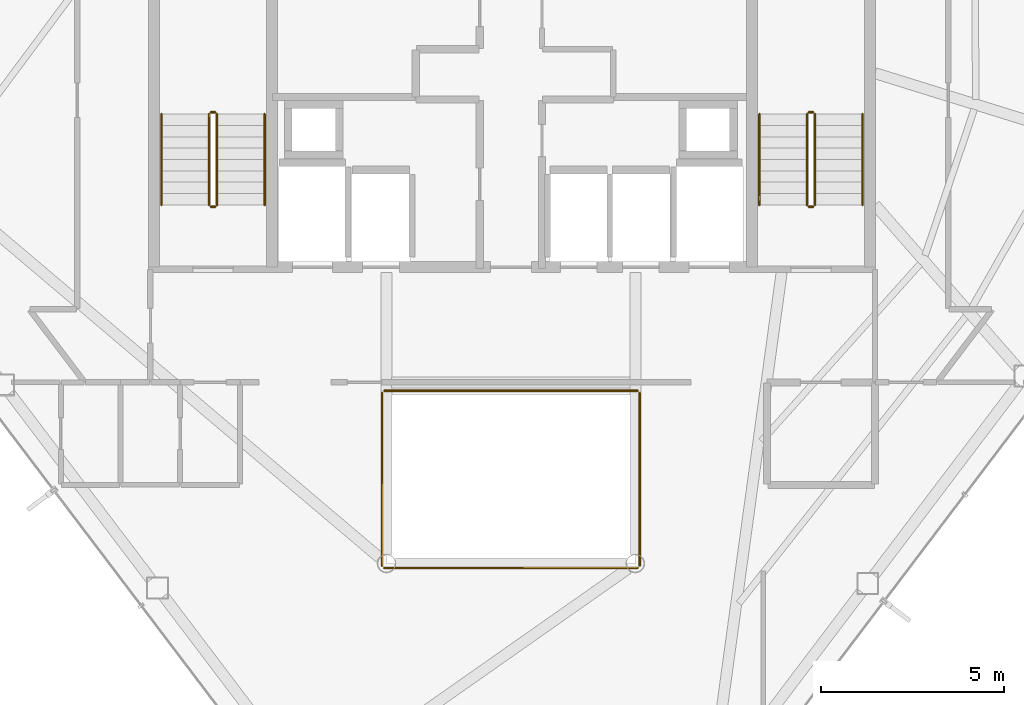
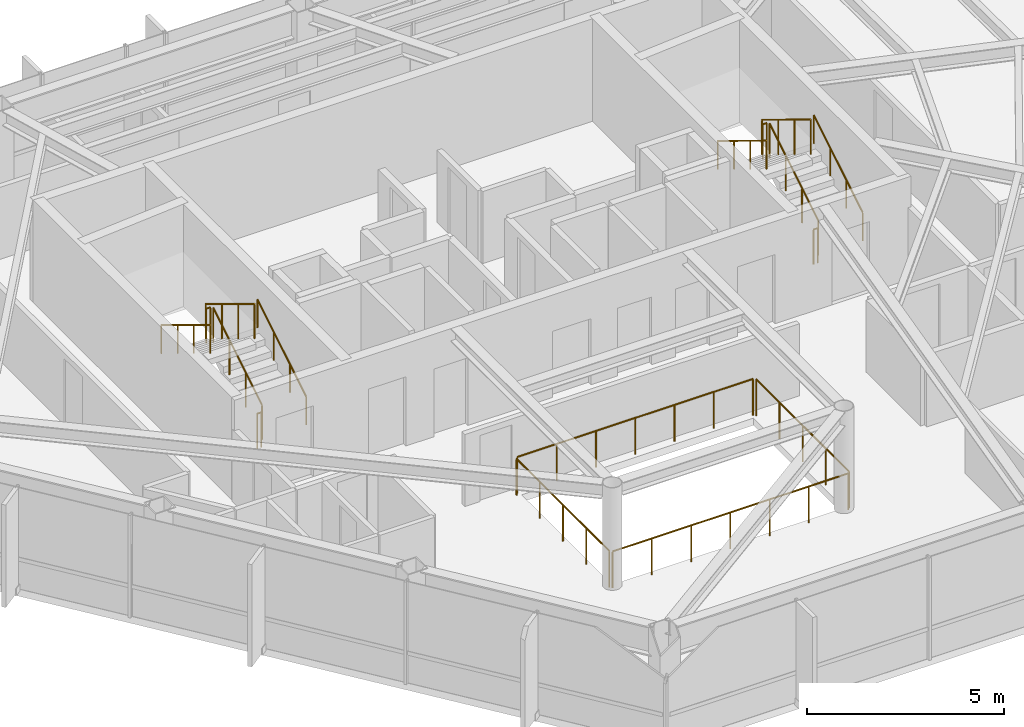
# One storey, part 27 of 27: 16 railings.
"""IFC4 building model written with IfcOpenShell, lengths in metres."""

from ifc_helpers import new_model, si_unit, direction, frame, origin, origin_2d, place, context, subcontext, project, spatial, circle, extrude, material, type_object, element, save


model = new_model("IFC4")

# Units and contexts
model_context = context("Model", 3, precision=1e-05, world=origin(), true_north=direction((0.0, 1.0)))
body_context = subcontext(model_context, "Body", "Model", "MODEL_VIEW")
ifc_project = project(units=[si_unit("LENGTHUNIT", "METRE"), si_unit("AREAUNIT", "SQUARE_METRE"), si_unit("VOLUMEUNIT", "CUBIC_METRE"), si_unit("PLANEANGLEUNIT", "RADIAN"), si_unit("MASSUNIT", "GRAM", prefix="KILO")], contexts=[model_context])

# Site, building, storey
site_placement = place(None, origin())
site = spatial("IfcSite", under=ifc_project, at=site_placement, CompositionType="ELEMENT")
building_placement = place(site_placement, origin())
building = spatial("IfcBuilding", under=site, at=building_placement, Name="Zarrinselat Tower", CompositionType="ELEMENT")
storey_placement = place(building_placement, frame((0.0, 0.0, 229.159912109375)))
storey = spatial("IfcBuildingStorey", under=building, at=storey_placement, Name="L57", CompositionType="ELEMENT", Elevation=229.159912109375)

# Railings
ifc_material_1 = material(Name="Double Low-E Laminated Solar Glass", Category="glass")
railing_type_1 = type_object("IfcRailingType", Name="RLG-ATRIUM-BAL", PredefinedType="BALUSTRADE", material=ifc_material_1)
railing_1_placement = place(storey_placement, frame((34.93994140625, 25.080078125, 0.0)))
element("IfcRailing", 1, at=railing_1_placement, inside=storey, type_object=railing_type_1, Name="L57 Atrium Void Glass Balustrade S", PredefinedType="BALUSTRADE", context=body_context, shape_type="SweptSolid", body=[
    extrude(circle(Radius=0.02392578125, at=origin_2d()), frame((0.0, 0.0, 1.1259765625), z_axis=(1.0, 0.0, 0.0), x_axis=(0.0, 1.0, 0.0)), (0.0, 0.0, 1.0), 6.920166015625),
    extrude(circle(Radius=0.02099609375, at=origin_2d()), origin(), (0.0, 0.0, 1.0), 1.099853515625),
    extrude(circle(Radius=0.02099609375, at=origin_2d()), frame((1.1533203125, 0.0, 0.0)), (0.0, 0.0, 1.0), 1.099853515625),
    extrude(circle(Radius=0.02099609375, at=origin_2d()), frame((2.306640625, 0.0, 0.0)), (0.0, 0.0, 1.0), 1.099853515625),
    extrude(circle(Radius=0.02099609375, at=origin_2d()), frame((3.4599609375, 0.0, 0.0)), (0.0, 0.0, 1.0), 1.099853515625),
    extrude(circle(Radius=0.02099609375, at=origin_2d()), frame((4.613525390625, 0.0, 0.0)), (0.0, 0.0, 1.0), 1.099853515625),
    extrude(circle(Radius=0.02099609375, at=origin_2d()), frame((5.766845703125, 0.0, 0.0)), (0.0, 0.0, 1.0), 1.099853515625),
    extrude(circle(Radius=0.02099609375, at=origin_2d()), frame((6.920166015625, 0.0, 0.0)), (0.0, 0.0, 1.0), 1.099853515625),
])
railing_2_placement = place(storey_placement, frame((41.919921875, 25.139892578125, 0.0)))
element("IfcRailing", 2, at=railing_2_placement, inside=storey, type_object=railing_type_1, Name="L57 Atrium Void Glass Balustrade E", PredefinedType="BALUSTRADE", context=body_context, shape_type="SweptSolid", body=[
    extrude(circle(Radius=0.02392578125, at=origin_2d()), frame((0.0, 0.0, 1.1259765625), z_axis=(0.0, 1.0, 0.0), x_axis=(-1.0, 0.0, 0.0)), (0.0, 0.0, 1.0), 4.72021484375),
    extrude(circle(Radius=0.02099609375, at=origin_2d()), origin(), (0.0, 0.0, 1.0), 1.099853515625),
    extrude(circle(Radius=0.02099609375, at=origin_2d()), frame((0.0, 1.18017578125, 0.0)), (0.0, 0.0, 1.0), 1.099853515625),
    extrude(circle(Radius=0.02099609375, at=origin_2d()), frame((0.0, 2.360107421875, 0.0)), (0.0, 0.0, 1.0), 1.099853515625),
    extrude(circle(Radius=0.02099609375, at=origin_2d()), frame((0.0, 3.5400390625, 0.0)), (0.0, 0.0, 1.0), 1.099853515625),
    extrude(circle(Radius=0.02099609375, at=origin_2d()), frame((0.0, 4.72021484375, 0.0)), (0.0, 0.0, 1.0), 1.099853515625),
])
railing_3_placement = place(storey_placement, frame((41.860107421875, 29.919921875, 0.0)))
element("IfcRailing", 3, at=railing_3_placement, inside=storey, type_object=railing_type_1, Name="L57 Atrium Void Glass Balustrade N", PredefinedType="BALUSTRADE", context=body_context, shape_type="SweptSolid", body=[
    extrude(circle(Radius=0.02392578125, at=origin_2d()), frame((0.0, 0.0, 1.1259765625), z_axis=(-1.0, 0.0, 0.0), x_axis=(0.0, -1.0, 0.0)), (0.0, 0.0, 1.0), 6.920166015625),
    extrude(circle(Radius=0.02099609375, at=origin_2d()), origin(), (0.0, 0.0, 1.0), 1.099853515625),
    extrude(circle(Radius=0.02099609375, at=origin_2d()), frame((-1.1533203125, 0.0, 0.0)), (0.0, 0.0, 1.0), 1.099853515625),
    extrude(circle(Radius=0.02099609375, at=origin_2d()), frame((-2.306640625, 0.0, 0.0)), (0.0, 0.0, 1.0), 1.099853515625),
    extrude(circle(Radius=0.02099609375, at=origin_2d()), frame((-3.4599609375, 0.0, 0.0)), (0.0, 0.0, 1.0), 1.099853515625),
    extrude(circle(Radius=0.02099609375, at=origin_2d()), frame((-4.613525390625, 0.0, 0.0)), (0.0, 0.0, 1.0), 1.099853515625),
    extrude(circle(Radius=0.02099609375, at=origin_2d()), frame((-5.766845703125, 0.0, 0.0)), (0.0, 0.0, 1.0), 1.099853515625),
    extrude(circle(Radius=0.02099609375, at=origin_2d()), frame((-6.920166015625, 0.0, 0.0)), (0.0, 0.0, 1.0), 1.099853515625),
])
railing_4_placement = place(storey_placement, frame((34.8798828125, 29.860107421875, 0.0)))
element("IfcRailing", 4, at=railing_4_placement, inside=storey, type_object=railing_type_1, Name="L57 Atrium Void Glass Balustrade W", PredefinedType="BALUSTRADE", context=body_context, shape_type="SweptSolid", body=[
    extrude(circle(Radius=0.02392578125, at=origin_2d()), frame((0.0, 0.0, 1.1259765625), z_axis=(0.0, -1.0, 0.0), x_axis=(1.0, 0.0, 0.0)), (0.0, 0.0, 1.0), 4.72021484375),
    extrude(circle(Radius=0.02099609375, at=origin_2d()), origin(), (0.0, 0.0, 1.0), 1.099853515625),
    extrude(circle(Radius=0.02099609375, at=origin_2d()), frame((0.0, -1.18017578125, 0.0)), (0.0, 0.0, 1.0), 1.099853515625),
    extrude(circle(Radius=0.02099609375, at=origin_2d()), frame((0.0, -2.360107421875, 0.0)), (0.0, 0.0, 1.0), 1.099853515625),
    extrude(circle(Radius=0.02099609375, at=origin_2d()), frame((0.0, -3.5400390625, 0.0)), (0.0, 0.0, 1.0), 1.099853515625),
    extrude(circle(Radius=0.02099609375, at=origin_2d()), frame((0.0, -4.72021484375, 0.0)), (0.0, 0.0, 1.0), 1.099853515625),
])
ifc_material_2 = material(Name="Steel S355J2", Category="steel")
railing_type_2 = type_object("IfcRailingType", Name="RLG-STAIR-GUARD", PredefinedType="GUARDRAIL", material=ifc_material_2)
railing_5_placement = place(storey_placement, frame((30.3701171875, 35.0, 0.18896484375)))
element("IfcRailing", 5, at=railing_5_placement, inside=storey, type_object=railing_type_2, Name="L57 ST-1 stair guard 1", PredefinedType="GUARDRAIL", context=body_context, shape_type="SweptSolid", body=[
    extrude(circle(Radius=0.02392578125, at=origin_2d()), frame((0.0, 0.0, 1.076171875), z_axis=(0.0, 0.853941963558, 0.520368256982), x_axis=(-1.0, 0.0, 0.0)), (0.0, 0.0, 1.0), 2.904052734375),
    extrude(circle(Radius=0.02099609375, at=origin_2d()), origin(), (0.0, 0.0, 1.0), 1.050048828125),
    extrude(circle(Radius=0.02099609375, at=origin_2d()), frame((0.0, 0.82666015625, 0.503662109375)), (0.0, 0.0, 1.0), 1.050048828125),
    extrude(circle(Radius=0.02099609375, at=origin_2d()), frame((0.0, 1.6533203125, 1.007568359375)), (0.0, 0.0, 1.0), 1.050048828125),
    extrude(circle(Radius=0.02099609375, at=origin_2d()), frame((0.0, 2.47998046875, 1.51123046875)), (0.0, 0.0, 1.0), 1.050048828125),
])
railing_6_placement = place(storey_placement, frame((30.320068359375, 37.530029296875, 1.7001953125)))
element("IfcRailing", 6, at=railing_6_placement, inside=storey, type_object=railing_type_2, Name="L57 ST-1 stair guard 2", PredefinedType="GUARDRAIL", context=body_context, shape_type="SweptSolid", body=[
    extrude(circle(Radius=0.02392578125, at=origin_2d()), frame((0.0, 0.0, 1.076171875), z_axis=(-1.0, 0.0, 0.0), x_axis=(0.0, -1.0, 0.0)), (0.0, 0.0, 1.0), 0.1201171875),
    extrude(circle(Radius=0.02099609375, at=origin_2d()), origin(), (0.0, 0.0, 1.0), 1.050048828125),
    extrude(circle(Radius=0.02099609375, at=origin_2d()), frame((-0.1201171875, 0.0, 0.0)), (0.0, 0.0, 1.0), 1.050048828125),
])
railing_7_placement = place(storey_placement, frame((30.14990234375, 37.47998046875, 1.888916015625)))
element("IfcRailing", 7, at=railing_7_placement, inside=storey, type_object=railing_type_2, Name="L57 ST-1 stair guard 3", PredefinedType="GUARDRAIL", context=body_context, shape_type="SweptSolid", body=[
    extrude(circle(Radius=0.02392578125, at=origin_2d()), frame((0.0, 0.0, 1.076171875), z_axis=(0.0, -0.853941963558, 0.520368256982), x_axis=(1.0, 0.0, 0.0)), (0.0, 0.0, 1.0), 2.904052734375),
    extrude(circle(Radius=0.02099609375, at=origin_2d()), origin(), (0.0, 0.0, 1.0), 1.050048828125),
    extrude(circle(Radius=0.02099609375, at=origin_2d()), frame((0.0, -0.82666015625, 0.503662109375)), (0.0, 0.0, 1.0), 1.050048828125),
    extrude(circle(Radius=0.02099609375, at=origin_2d()), frame((0.0, -1.6533203125, 1.007568359375)), (0.0, 0.0, 1.0), 1.050048828125),
    extrude(circle(Radius=0.02099609375, at=origin_2d()), frame((0.0, -2.47998046875, 1.51123046875)), (0.0, 0.0, 1.0), 1.050048828125),
])
railing_8_placement = place(storey_placement, frame((30.320068359375, 34.949951171875, 0.0)))
element("IfcRailing", 8, at=railing_8_placement, inside=storey, type_object=railing_type_2, Name="L57 ST-1 stair guard 4", PredefinedType="GUARDRAIL", context=body_context, shape_type="SweptSolid", body=[
    extrude(circle(Radius=0.02392578125, at=origin_2d()), frame((0.0, 0.0, 1.076171875), z_axis=(-1.0, 0.0, 0.0), x_axis=(0.0, -1.0, 0.0)), (0.0, 0.0, 1.0), 0.1201171875),
    extrude(circle(Radius=0.02099609375, at=origin_2d()), origin(), (0.0, 0.0, 1.0), 1.050048828125),
    extrude(circle(Radius=0.02099609375, at=origin_2d()), frame((-0.1201171875, 0.0, 0.0)), (0.0, 0.0, 1.0), 1.050048828125),
])
railing_9_placement = place(storey_placement, frame((46.7099609375, 35.0, 0.18896484375)))
element("IfcRailing", 9, at=railing_9_placement, inside=storey, type_object=railing_type_2, Name="L57 ST-2 stair guard 1", PredefinedType="GUARDRAIL", context=body_context, shape_type="SweptSolid", body=[
    extrude(circle(Radius=0.02392578125, at=origin_2d()), frame((0.0, 0.0, 1.076171875), z_axis=(0.0, 0.853941963558, 0.520368256982), x_axis=(-1.0, 0.0, 0.0)), (0.0, 0.0, 1.0), 2.904052734375),
    extrude(circle(Radius=0.02099609375, at=origin_2d()), origin(), (0.0, 0.0, 1.0), 1.050048828125),
    extrude(circle(Radius=0.02099609375, at=origin_2d()), frame((0.0, 0.82666015625, 0.503662109375)), (0.0, 0.0, 1.0), 1.050048828125),
    extrude(circle(Radius=0.02099609375, at=origin_2d()), frame((0.0, 1.6533203125, 1.007568359375)), (0.0, 0.0, 1.0), 1.050048828125),
    extrude(circle(Radius=0.02099609375, at=origin_2d()), frame((0.0, 2.47998046875, 1.51123046875)), (0.0, 0.0, 1.0), 1.050048828125),
])
railing_10_placement = place(storey_placement, frame((46.659912109375, 37.530029296875, 1.7001953125)))
element("IfcRailing", 10, at=railing_10_placement, inside=storey, type_object=railing_type_2, Name="L57 ST-2 stair guard 2", PredefinedType="GUARDRAIL", context=body_context, shape_type="SweptSolid", body=[
    extrude(circle(Radius=0.02392578125, at=origin_2d()), frame((0.0, 0.0, 1.076171875), z_axis=(-1.0, 0.0, 0.0), x_axis=(0.0, -1.0, 0.0)), (0.0, 0.0, 1.0), 0.119873046875),
    extrude(circle(Radius=0.02099609375, at=origin_2d()), origin(), (0.0, 0.0, 1.0), 1.050048828125),
    extrude(circle(Radius=0.02099609375, at=origin_2d()), frame((-0.119873046875, 0.0, 0.0)), (0.0, 0.0, 1.0), 1.050048828125),
])
railing_11_placement = place(storey_placement, frame((46.489990234375, 37.47998046875, 1.888916015625)))
element("IfcRailing", 11, at=railing_11_placement, inside=storey, type_object=railing_type_2, Name="L57 ST-2 stair guard 3", PredefinedType="GUARDRAIL", context=body_context, shape_type="SweptSolid", body=[
    extrude(circle(Radius=0.02392578125, at=origin_2d()), frame((0.0, 0.0, 1.076171875), z_axis=(0.0, -0.853941963558, 0.520368256982), x_axis=(1.0, 0.0, 0.0)), (0.0, 0.0, 1.0), 2.904052734375),
    extrude(circle(Radius=0.02099609375, at=origin_2d()), origin(), (0.0, 0.0, 1.0), 1.050048828125),
    extrude(circle(Radius=0.02099609375, at=origin_2d()), frame((0.0, -0.82666015625, 0.503662109375)), (0.0, 0.0, 1.0), 1.050048828125),
    extrude(circle(Radius=0.02099609375, at=origin_2d()), frame((0.0, -1.6533203125, 1.007568359375)), (0.0, 0.0, 1.0), 1.050048828125),
    extrude(circle(Radius=0.02099609375, at=origin_2d()), frame((0.0, -2.47998046875, 1.51123046875)), (0.0, 0.0, 1.0), 1.050048828125),
])
railing_12_placement = place(storey_placement, frame((46.659912109375, 34.949951171875, 0.0)))
element("IfcRailing", 12, at=railing_12_placement, inside=storey, type_object=railing_type_2, Name="L57 ST-2 stair guard 4", PredefinedType="GUARDRAIL", context=body_context, shape_type="SweptSolid", body=[
    extrude(circle(Radius=0.02392578125, at=origin_2d()), frame((0.0, 0.0, 1.076171875), z_axis=(-1.0, 0.0, 0.0), x_axis=(0.0, -1.0, 0.0)), (0.0, 0.0, 1.0), 0.119873046875),
    extrude(circle(Radius=0.02099609375, at=origin_2d()), origin(), (0.0, 0.0, 1.0), 1.050048828125),
    extrude(circle(Radius=0.02099609375, at=origin_2d()), frame((-0.119873046875, 0.0, 0.0)), (0.0, 0.0, 1.0), 1.050048828125),
])
ifc_material_3 = material(Name="Steel S355J2", Category="steel")
railing_type_3 = type_object("IfcRailingType", Name="RLG-STAIR-HAND", PredefinedType="HANDRAIL", material=ifc_material_3)
railing_13_placement = place(storey_placement, frame((31.669921875, 35.0, 0.18896484375)))
element("IfcRailing", 13, at=railing_13_placement, inside=storey, type_object=railing_type_3, Name="L57 ST-1 stair handrail 1", PredefinedType="HANDRAIL", context=body_context, shape_type="SweptSolid", body=[
    extrude(circle(Radius=0.02392578125, at=origin_2d()), frame((0.0, 0.0, 0.8759765625), z_axis=(0.0, 0.853941963558, 0.520368256982), x_axis=(-1.0, 0.0, 0.0)), (0.0, 0.0, 1.0), 2.904052734375),
    extrude(circle(Radius=0.02099609375, at=origin_2d()), origin(), (0.0, 0.0, 1.0), 0.849853515625),
    extrude(circle(Radius=0.02099609375, at=origin_2d()), frame((0.0, 0.82666015625, 0.503662109375)), (0.0, 0.0, 1.0), 0.849853515625),
    extrude(circle(Radius=0.02099609375, at=origin_2d()), frame((0.0, 1.6533203125, 1.007568359375)), (0.0, 0.0, 1.0), 0.849853515625),
    extrude(circle(Radius=0.02099609375, at=origin_2d()), frame((0.0, 2.47998046875, 1.51123046875)), (0.0, 0.0, 1.0), 0.849853515625),
])
railing_14_placement = place(storey_placement, frame((28.85009765625, 37.47998046875, 1.888916015625)))
element("IfcRailing", 14, at=railing_14_placement, inside=storey, type_object=railing_type_3, Name="L57 ST-1 stair handrail 2", PredefinedType="HANDRAIL", context=body_context, shape_type="SweptSolid", body=[
    extrude(circle(Radius=0.02392578125, at=origin_2d()), frame((0.0, 0.0, 0.8759765625), z_axis=(0.0, -0.853941963558, 0.520368256982), x_axis=(1.0, 0.0, 0.0)), (0.0, 0.0, 1.0), 2.904052734375),
    extrude(circle(Radius=0.02099609375, at=origin_2d()), origin(), (0.0, 0.0, 1.0), 0.849853515625),
    extrude(circle(Radius=0.02099609375, at=origin_2d()), frame((0.0, -0.82666015625, 0.503662109375)), (0.0, 0.0, 1.0), 0.849853515625),
    extrude(circle(Radius=0.02099609375, at=origin_2d()), frame((0.0, -1.6533203125, 1.007568359375)), (0.0, 0.0, 1.0), 0.849853515625),
    extrude(circle(Radius=0.02099609375, at=origin_2d()), frame((0.0, -2.47998046875, 1.51123046875)), (0.0, 0.0, 1.0), 0.849853515625),
])
railing_15_placement = place(storey_placement, frame((48.010009765625, 35.0, 0.18896484375)))
element("IfcRailing", 15, at=railing_15_placement, inside=storey, type_object=railing_type_3, Name="L57 ST-2 stair handrail 1", PredefinedType="HANDRAIL", context=body_context, shape_type="SweptSolid", body=[
    extrude(circle(Radius=0.02392578125, at=origin_2d()), frame((0.0, 0.0, 0.8759765625), z_axis=(0.0, 0.853941963558, 0.520368256982), x_axis=(-1.0, 0.0, 0.0)), (0.0, 0.0, 1.0), 2.904052734375),
    extrude(circle(Radius=0.02099609375, at=origin_2d()), origin(), (0.0, 0.0, 1.0), 0.849853515625),
    extrude(circle(Radius=0.02099609375, at=origin_2d()), frame((0.0, 0.82666015625, 0.503662109375)), (0.0, 0.0, 1.0), 0.849853515625),
    extrude(circle(Radius=0.02099609375, at=origin_2d()), frame((0.0, 1.6533203125, 1.007568359375)), (0.0, 0.0, 1.0), 0.849853515625),
    extrude(circle(Radius=0.02099609375, at=origin_2d()), frame((0.0, 2.47998046875, 1.51123046875)), (0.0, 0.0, 1.0), 0.849853515625),
])
railing_16_placement = place(storey_placement, frame((45.18994140625, 37.47998046875, 1.888916015625)))
element("IfcRailing", 16, at=railing_16_placement, inside=storey, type_object=railing_type_3, Name="L57 ST-2 stair handrail 2", PredefinedType="HANDRAIL", context=body_context, shape_type="SweptSolid", body=[
    extrude(circle(Radius=0.02392578125, at=origin_2d()), frame((0.0, 0.0, 0.8759765625), z_axis=(0.0, -0.853941963558, 0.520368256982), x_axis=(1.0, 0.0, 0.0)), (0.0, 0.0, 1.0), 2.904052734375),
    extrude(circle(Radius=0.02099609375, at=origin_2d()), origin(), (0.0, 0.0, 1.0), 0.849853515625),
    extrude(circle(Radius=0.02099609375, at=origin_2d()), frame((0.0, -0.82666015625, 0.503662109375)), (0.0, 0.0, 1.0), 0.849853515625),
    extrude(circle(Radius=0.02099609375, at=origin_2d()), frame((0.0, -1.6533203125, 1.007568359375)), (0.0, 0.0, 1.0), 0.849853515625),
    extrude(circle(Radius=0.02099609375, at=origin_2d()), frame((0.0, -2.47998046875, 1.51123046875)), (0.0, 0.0, 1.0), 0.849853515625),
])

save(model, "model.ifc")
